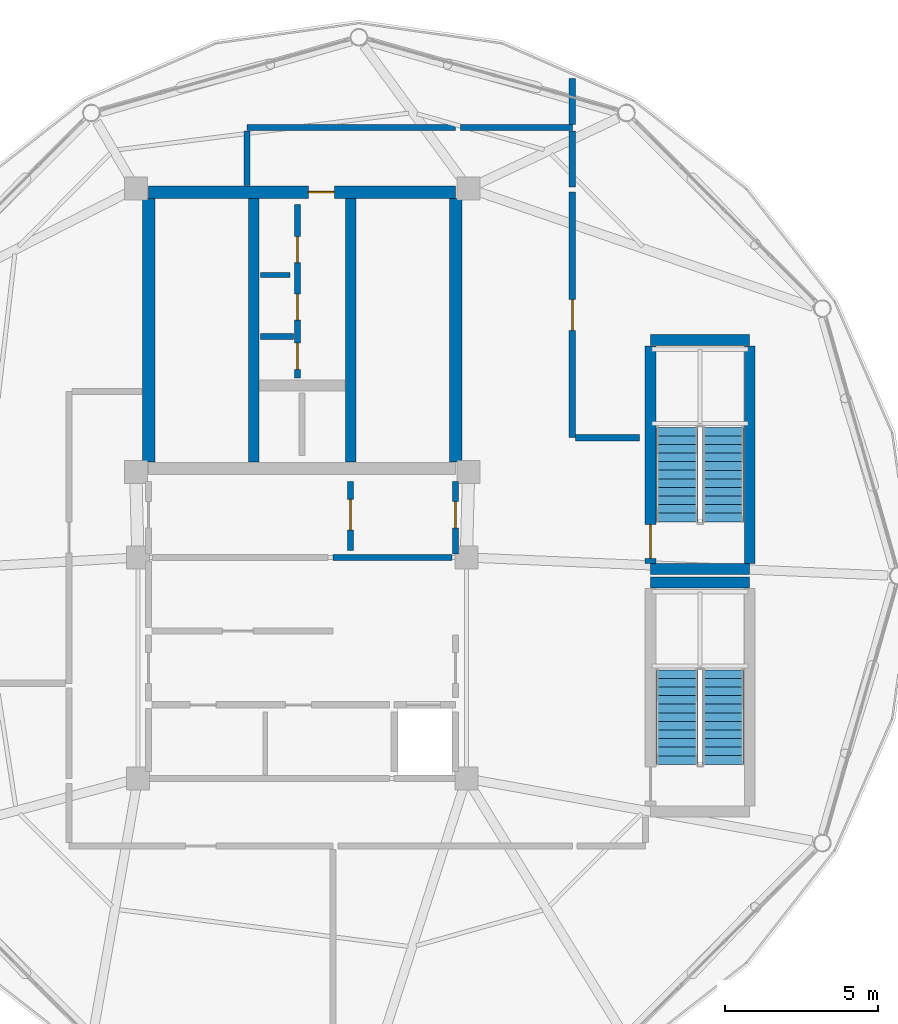
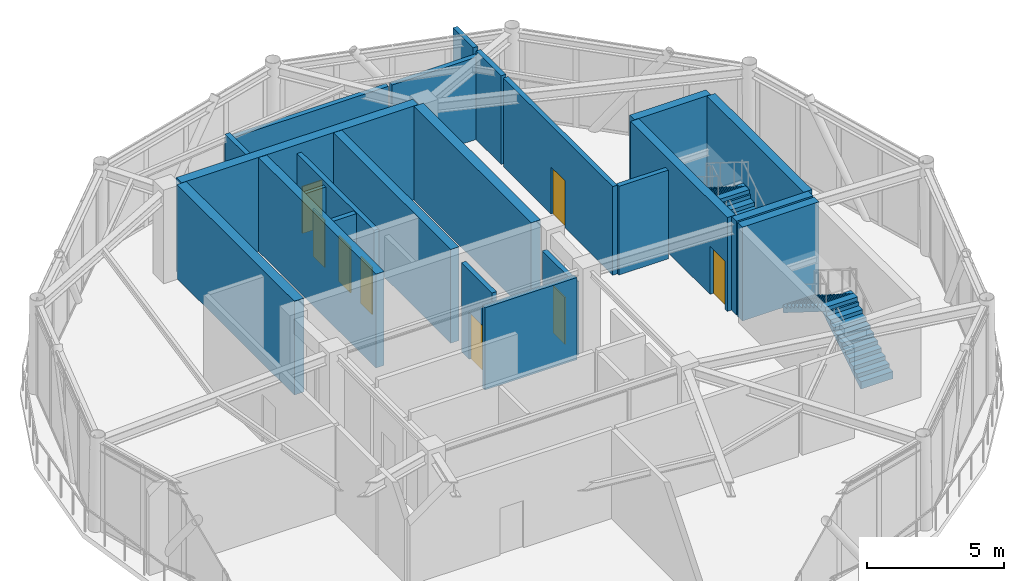
# One storey, part 18 of 21: 23 walls, 8 doors, 4 stair flights, 8 openings, 2 elements without a shape of their own.
"""IFC4 building model written with IfcOpenShell, lengths in metres."""

from ifc_helpers import new_model, si_unit, direction, frame, frame_2d, origin, place, context, subcontext, project, spatial, polyline, rectangle, outline, extrude, material, layer, layer_set, type_object, element, fill, aggregate, save


model = new_model("IFC4")

# Units and contexts
model_context = context("Model", 3, precision=1e-05, world=origin(), true_north=direction((0.0, 1.0)))
body_context = subcontext(model_context, "Body", "Model", "MODEL_VIEW")
ifc_project = project(units=[si_unit("LENGTHUNIT", "METRE"), si_unit("AREAUNIT", "SQUARE_METRE"), si_unit("VOLUMEUNIT", "CUBIC_METRE"), si_unit("PLANEANGLEUNIT", "RADIAN"), si_unit("MASSUNIT", "GRAM", prefix="KILO")], contexts=[model_context])

# Site, building, storey
site_placement = place(None, origin())
site = spatial("IfcSite", under=ifc_project, at=site_placement, CompositionType="ELEMENT")
building_placement = place(site_placement, origin())
building = spatial("IfcBuilding", under=site, at=building_placement, Name="Varnakorn Sky Granary", CompositionType="ELEMENT")
storey_placement = place(building_placement, frame((0.0, 0.0, 298.199951171875)))
storey = spatial("IfcBuildingStorey", under=building, at=storey_placement, Name="L76", CompositionType="ELEMENT", Elevation=298.199951171875)

# Walls
ifc_material_1 = material(Name="Concrete C50/60", Category="concrete")
ifc_layer_1 = layer(ifc_material_1, 0.35009765625, Name="Concrete C50/60")
ifc_layer_set_1 = layer_set([ifc_layer_1], Name="Concrete C50/60")
wall_type_1 = type_object("IfcWallType", Name="WT-CW-INT-350", PredefinedType="SHEAR", material=ifc_layer_set_1)
for number, where, z_axis, x_axis, name in (
    (1, (14.35009765625, 0.219970703125, 0.0), (0.0, 0.0, 1.0), (1.0, 0.0, 0.0), "Crown Stair STC1 South Wall L76"),
    (2, (14.35009765625, 7.679931640625, 0.0), (0.0, 0.0, 1.0), (1.0, 0.0, 0.0), "Crown Stair STC1 North Wall L76"),
):
    element("IfcWall", number, at=place(storey_placement, frame(where, z_axis=z_axis, x_axis=x_axis)), inside=storey, type_object=wall_type_1, Name=name, PredefinedType="SHEAR", context=body_context, shape_type="SweptSolid", body=[
        extrude(rectangle(XDim=3.22998046875, YDim=0.35009765625, at=frame_2d((1.614990234375, 0.0))), origin(), (0.0, 0.0, 1.0), 4.192138671875),
    ])

# Wall, opening, door
wall_1_placement = place(storey_placement, frame((14.35009765625, 0.409912109375, 0.0), z_axis=(0.0, 0.0, 1.0), x_axis=(0.0, 1.0, 0.0)))
wall_1 = element("IfcWall", 3, at=wall_1_placement, inside=storey, type_object=wall_type_1, Name="Crown Stair STC1 West Wall L76", PredefinedType="SHEAR", context=body_context, shape_type="SweptSolid", body=[
    extrude(rectangle(XDim=7.080078125, YDim=0.35009765625, at=frame_2d((3.5400390625, 0.0))), origin(), (0.0, 0.0, 1.0), 4.192138671875),
])
opening_1_placement = place(wall_1_placement, frame((0.159912109375, 0.0, 0.0)))
opening_1 = element("IfcOpeningElement", 4, at=opening_1_placement, cuts=wall_1, Name="Opening FD-90", PredefinedType="OPENING", context=body_context, shape_type="SweptSolid", body=[
    extrude(rectangle(XDim=1.10009765625, YDim=2.14990234375, at=frame_2d((0.550048828125, 1.074951171875))), frame((0.0, 0.18505859375, 0.0), z_axis=(0.0, -1.0, 0.0), x_axis=(1.0, 0.0, 0.0)), (0.0, 0.0, 1.0), 0.3701171875),
])
ifc_material_2 = material(Name="Galvanised Painted Steel Leaf", Category="steel")
door_type_1 = type_object("IfcDoorType", Name="DR-STAIR-1100", OperationType="NOTDEFINED", PredefinedType="DOOR", material=ifc_material_2)
door_1_placement = place(opening_1_placement, origin())
door_1 = element("IfcDoor", 5, at=door_1_placement, inside=storey, type_object=door_type_1, Name="Crown Stair STC1 Protected Fire Door L76", OperationType="SINGLE_SWING_LEFT", OverallHeight=2.14990234375, OverallWidth=1.10009765625, PredefinedType="DOOR", context=body_context, shape_type="SweptSolid", body=[
    extrude(rectangle(XDim=1.10009765625, YDim=2.14990234375, at=frame_2d((0.550048828125, 1.074951171875))), frame((0.0, 0.02490234375, 0.0), z_axis=(0.0, -1.0, 0.0), x_axis=(1.0, 0.0, 0.0)), (0.0, 0.0, 1.0), 0.050048828125),
])
fill(opening_1, door_1)

# Walls
wall_2_placement = place(storey_placement, frame((17.580078125, 0.409912109375, 0.0), z_axis=(0.0, 0.0, 1.0), x_axis=(0.0, 1.0, 0.0)))
element("IfcWall", 6, at=wall_2_placement, inside=storey, type_object=wall_type_1, Name="Crown Stair STC1 East Wall L76", PredefinedType="SHEAR", context=body_context, shape_type="SweptSolid", body=[
    extrude(rectangle(XDim=7.080078125, YDim=0.35009765625, at=frame_2d((3.5400390625, 0.0))), origin(), (0.0, 0.0, 1.0), 4.192138671875),
])
wall_3_placement = place(storey_placement, frame((14.35009765625, -0.219970703125, 0.0), z_axis=(0.0, 0.0, 1.0), x_axis=(1.0, 0.0, 0.0)))
element("IfcWall", 7, at=wall_3_placement, inside=storey, type_object=wall_type_1, Name="Crown Stair STC2 North Wall L76", PredefinedType="SHEAR", context=body_context, shape_type="SweptSolid", body=[
    extrude(rectangle(XDim=3.22998046875, YDim=0.35009765625, at=frame_2d((1.614990234375, 0.0))), origin(), (0.0, 0.0, 1.0), 4.192138671875),
])
for number, where, z_axis, x_axis, name in (
    (8, (1.419921875, 3.7099609375, 0.0), (0.0, 0.0, 1.0), (0.0, 1.0, 0.0), "Stair ST-1 Core Wall L76"),
    (9, (4.580078125, 3.7099609375, 0.0), (0.0, 0.0, 1.0), (0.0, 1.0, 0.0), "Stair ST-2 Core Wall L76"),
):
    element("IfcWall", number, at=place(storey_placement, frame(where, z_axis=z_axis, x_axis=x_axis)), inside=storey, type_object=wall_type_1, Name=name, PredefinedType="SHEAR", context=body_context, shape_type="SweptSolid", body=[
        extrude(rectangle(XDim=8.580078125, YDim=0.35009765625, at=frame_2d((4.2900390625, 0.0))), origin(), (0.0, 0.0, 1.0), 4.192138671875),
    ])

# Wall, opening, door
ifc_layer_2 = layer(ifc_material_1, 0.39990234375, Name="Concrete C50/60")
ifc_layer_set_2 = layer_set([ifc_layer_2], Name="Concrete C50/60")
wall_type_2 = type_object("IfcWallType", Name="WT-CW-SHEAR-400", PredefinedType="SHEAR", material=ifc_layer_set_2)
wall_4_placement = place(storey_placement, frame((-2.0, 12.5, 0.0), z_axis=(0.0, 0.0, 1.0), x_axis=(1.0, 0.0, 0.0)))
wall_4 = element("IfcWall", 10, at=wall_4_placement, inside=storey, type_object=wall_type_2, Name="Core North Shear Wall L76", PredefinedType="SHEAR", context=body_context, shape_type="SweptSolid", body=[
    extrude(rectangle(XDim=10.0, YDim=0.39990234375, at=frame_2d((5.0, 0.0))), origin(), (0.0, 0.0, 1.0), 4.192138671875),
])
opening_2_placement = place(wall_4_placement, frame((5.199951171875, 0.0, 0.0)))
opening_2 = element("IfcOpeningElement", 11, at=opening_2_placement, cuts=wall_4, Name="Opening FD-60N", PredefinedType="OPENING", context=body_context, shape_type="SweptSolid", body=[
    extrude(rectangle(XDim=0.85009765625, YDim=2.10009765625, at=frame_2d((0.425048828125, 1.050048828125))), frame((0.0, 0.2099609375, 0.0), z_axis=(0.0, -1.0, 0.0), x_axis=(1.0, 0.0, 0.0)), (0.0, 0.0, 1.0), 0.419921875),
])
ifc_material_3 = material(Name="Acoustic Timber Fire Leaf", Category="wood")
door_type_2 = type_object("IfcDoorType", Name="DR-FD60-850", OperationType="NOTDEFINED", PredefinedType="DOOR", material=ifc_material_3)
door_2_placement = place(opening_2_placement, origin())
door_2 = element("IfcDoor", 12, at=door_2_placement, inside=storey, type_object=door_type_2, Name="Core North Service Door L76", OperationType="SINGLE_SWING_RIGHT", OverallHeight=2.10009765625, OverallWidth=0.85009765625, PredefinedType="DOOR", context=body_context, shape_type="SweptSolid", body=[
    extrude(rectangle(XDim=0.85009765625, YDim=2.10009765625, at=frame_2d((0.425048828125, 1.050048828125))), frame((0.0, 0.02490234375, 0.0), z_axis=(0.0, -1.0, 0.0), x_axis=(1.0, 0.0, 0.0)), (0.0, 0.0, 1.0), 0.050048828125),
])
fill(opening_2, door_2)

# Walls
for number, where, z_axis, x_axis, name in (
    (13, (-2.0, 3.7099609375, 0.0), (0.0, 0.0, 1.0), (0.0, 1.0, 0.0), "Core West Shear Wall L76"),
    (14, (8.0, 3.7099609375, 0.0), (0.0, 0.0, 1.0), (0.0, 1.0, 0.0), "Core East Shear Wall L76"),
):
    element("IfcWall", number, at=place(storey_placement, frame(where, z_axis=z_axis, x_axis=x_axis)), inside=storey, type_object=wall_type_2, Name=name, PredefinedType="SHEAR", context=body_context, shape_type="SweptSolid", body=[
        extrude(rectangle(XDim=8.580078125, YDim=0.39990234375, at=frame_2d((4.2900390625, 0.0))), origin(), (0.0, 0.0, 1.0), 4.192138671875),
    ])

# Wall, openings, doors
ifc_material_4 = material(Name="Autoclaved Aerated Concrete Blockwork", Category="masonry")
ifc_layer_3 = layer(ifc_material_4, 0.199951171875, Name="Autoclaved Aerated Concrete Blockwork")
ifc_layer_set_3 = layer_set([ifc_layer_3], Name="Autoclaved Aerated Concrete Blockwork")
wall_type_3 = type_object("IfcWallType", Name="WT-FIRE-200", PredefinedType="MOVABLE", material=ifc_layer_set_3)
wall_5_placement = place(storey_placement, frame((2.85009765625, 6.449951171875, 0.0), z_axis=(0.0, 0.0, 1.0), x_axis=(0.0, 1.0, 0.0)))
wall_5 = element("IfcWall", 15, at=wall_5_placement, inside=storey, type_object=wall_type_3, Name="Interior Partition Wall L76-008", PredefinedType="MOVABLE", context=body_context, shape_type="SweptSolid", body=[
    extrude(rectangle(XDim=5.650146484375, YDim=0.199951171875, at=frame_2d((2.8251953125, 0.0))), origin(), (0.0, 0.0, 1.0), 3.9599609375),
])
opening_3_placement = place(wall_5_placement, frame((1.8798828125, 0.0, 0.0)))
opening_3 = element("IfcOpeningElement", 16, at=opening_3_placement, cuts=wall_5, Name="Opening RD-85", PredefinedType="OPENING", context=body_context, shape_type="SweptSolid", body=[
    extrude(rectangle(XDim=0.85009765625, YDim=2.050048828125, at=frame_2d((0.425048828125, 1.02490234375))), frame((0.0, 0.10986328125, 0.0), z_axis=(0.0, -1.0, 0.0), x_axis=(1.0, 0.0, 0.0)), (0.0, 0.0, 1.0), 0.219970703125),
])
opening_4_placement = place(wall_5_placement, frame((3.75, 0.0, 0.0)))
opening_4 = element("IfcOpeningElement", 17, at=opening_4_placement, cuts=wall_5, Name="Opening FD-60N", PredefinedType="OPENING", context=body_context, shape_type="SweptSolid", body=[
    extrude(rectangle(XDim=0.85009765625, YDim=2.10009765625, at=frame_2d((0.425048828125, 1.050048828125))), frame((0.0, 0.10986328125, 0.0), z_axis=(0.0, -1.0, 0.0), x_axis=(1.0, 0.0, 0.0)), (0.0, 0.0, 1.0), 0.219970703125),
])
opening_5_placement = place(wall_5_placement, frame((0.280029296875, 0.0, 0.0)))
opening_5 = element("IfcOpeningElement", 18, at=opening_5_placement, cuts=wall_5, Name="Opening FD-60N", PredefinedType="OPENING", context=body_context, shape_type="SweptSolid", body=[
    extrude(rectangle(XDim=0.85009765625, YDim=2.10009765625, at=frame_2d((0.425048828125, 1.050048828125))), frame((0.0, 0.10986328125, 0.0), z_axis=(0.0, -1.0, 0.0), x_axis=(1.0, 0.0, 0.0)), (0.0, 0.0, 1.0), 0.219970703125),
])
door_3_placement = place(opening_4_placement, origin())
door_3 = element("IfcDoor", 19, at=door_3_placement, inside=storey, type_object=door_type_2, Name="Interior Door L76-008-2", OperationType="SINGLE_SWING_LEFT", OverallHeight=2.10009765625, OverallWidth=0.85009765625, PredefinedType="DOOR", context=body_context, shape_type="SweptSolid", body=[
    extrude(rectangle(XDim=0.85009765625, YDim=2.10009765625, at=frame_2d((0.425048828125, 1.050048828125))), frame((0.0, 0.02490234375, 0.0), z_axis=(0.0, -1.0, 0.0), x_axis=(1.0, 0.0, 0.0)), (0.0, 0.0, 1.0), 0.050048828125),
])
fill(opening_4, door_3)
door_4_placement = place(opening_5_placement, origin())
door_4 = element("IfcDoor", 20, at=door_4_placement, inside=storey, type_object=door_type_2, Name="Interior Door L76-008-3", OperationType="SINGLE_SWING_RIGHT", OverallHeight=2.10009765625, OverallWidth=0.85009765625, PredefinedType="DOOR", context=body_context, shape_type="SweptSolid", body=[
    extrude(rectangle(XDim=0.85009765625, YDim=2.10009765625, at=frame_2d((0.425048828125, 1.050048828125))), frame((0.0, 0.02490234375, 0.0), z_axis=(0.0, -1.0, 0.0), x_axis=(1.0, 0.0, 0.0)), (0.0, 0.0, 1.0), 0.050048828125),
])
fill(opening_5, door_4)
door_type_3 = type_object("IfcDoorType", Name="DR-RIS-850", OperationType="NOTDEFINED", PredefinedType="DOOR", material=ifc_material_2)
door_5_placement = place(opening_3_placement, origin())
door_5 = element("IfcDoor", 21, at=door_5_placement, inside=storey, type_object=door_type_3, Name="MEP Riser Shaft Access Door L76-008-1", OperationType="SINGLE_SWING_RIGHT", OverallHeight=2.050048828125, OverallWidth=0.85009765625, PredefinedType="DOOR", context=body_context, shape_type="SweptSolid", body=[
    extrude(rectangle(XDim=0.85009765625, YDim=2.050048828125, at=frame_2d((0.425048828125, 1.02490234375))), frame((0.0, 0.02490234375, 0.0), z_axis=(0.0, -1.0, 0.0), x_axis=(1.0, 0.0, 0.0)), (0.0, 0.0, 1.0), 0.050048828125),
])
fill(opening_3, door_5)

# Wall, opening, door
wall_6_placement = place(storey_placement, frame((4.580078125, 0.830078125, 0.0), z_axis=(0.0, 0.0, 1.0), x_axis=(0.0, 1.0, 0.0)))
wall_6 = element("IfcWall", 22, at=wall_6_placement, inside=storey, type_object=wall_type_3, Name="Interior Partition Wall L76-009", PredefinedType="MOVABLE", context=body_context, shape_type="SweptSolid", body=[
    extrude(rectangle(XDim=2.239990234375, YDim=0.199951171875, at=frame_2d((1.1201171875, 0.0))), origin(), (0.0, 0.0, 1.0), 3.9599609375),
])
opening_6_placement = place(wall_6_placement, frame((0.659912109375, 0.0, 0.0)))
opening_6 = element("IfcOpeningElement", 23, at=opening_6_placement, cuts=wall_6, Name="Opening FD-60", PredefinedType="OPENING", context=body_context, shape_type="SweptSolid", body=[
    extrude(rectangle(XDim=1.0, YDim=2.10009765625, at=frame_2d((0.5, 1.050048828125))), frame((0.0, 0.10986328125, 0.0), z_axis=(0.0, -1.0, 0.0), x_axis=(1.0, 0.0, 0.0)), (0.0, 0.0, 1.0), 0.219970703125),
])
door_type_4 = type_object("IfcDoorType", Name="DR-FD60-1000", OperationType="NOTDEFINED", PredefinedType="DOOR", material=ifc_material_3)
door_6_placement = place(opening_6_placement, origin())
door_6 = element("IfcDoor", 24, at=door_6_placement, inside=storey, type_object=door_type_4, Name="Interior Door L76-009-1", OperationType="SINGLE_SWING_LEFT", OverallHeight=2.10009765625, OverallWidth=1.0, PredefinedType="DOOR", context=body_context, shape_type="SweptSolid", body=[
    extrude(rectangle(XDim=1.0, YDim=2.10009765625, at=frame_2d((0.5, 1.050048828125))), frame((0.0, 0.02490234375, 0.0), z_axis=(0.0, -1.0, 0.0), x_axis=(1.0, 0.0, 0.0)), (0.0, 0.0, 1.0), 0.050048828125),
])
fill(opening_6, door_6)

wall_7_placement = place(storey_placement, frame((8.0, 0.719970703125, 0.0), z_axis=(0.0, 0.0, 1.0), x_axis=(0.0, 1.0, 0.0)))
wall_7 = element("IfcWall", 25, at=wall_7_placement, inside=storey, type_object=wall_type_3, Name="Interior Partition Wall L76-011", PredefinedType="MOVABLE", context=body_context, shape_type="SweptSolid", body=[
    extrude(rectangle(XDim=2.35009765625, YDim=0.199951171875, at=frame_2d((1.175048828125, 0.0))), origin(), (0.0, 0.0, 1.0), 3.2919921875),
])
opening_7_placement = place(wall_7_placement, frame((0.844970703125, 0.0, 0.0)))
opening_7 = element("IfcOpeningElement", 26, at=opening_7_placement, cuts=wall_7, Name="Opening FD-60N", PredefinedType="OPENING", context=body_context, shape_type="SweptSolid", body=[
    extrude(rectangle(XDim=0.85009765625, YDim=2.10009765625, at=frame_2d((0.425048828125, 1.050048828125))), frame((0.0, 0.10986328125, 0.0), z_axis=(0.0, -1.0, 0.0), x_axis=(1.0, 0.0, 0.0)), (0.0, 0.0, 1.0), 0.219970703125),
])
door_7_placement = place(opening_7_placement, origin())
door_7 = element("IfcDoor", 27, at=door_7_placement, inside=storey, type_object=door_type_2, Name="Interior Door L76-011-1", OperationType="SINGLE_SWING_LEFT", OverallHeight=2.10009765625, OverallWidth=0.85009765625, PredefinedType="DOOR", context=body_context, shape_type="SweptSolid", body=[
    extrude(rectangle(XDim=0.85009765625, YDim=2.10009765625, at=frame_2d((0.425048828125, 1.050048828125))), frame((0.0, 0.02490234375, 0.0), z_axis=(0.0, -1.0, 0.0), x_axis=(1.0, 0.0, 0.0)), (0.0, 0.0, 1.0), 0.050048828125),
])
fill(opening_7, door_7)

wall_8_placement = place(storey_placement, frame((11.800048828125, 4.5, 0.0), z_axis=(0.0, 0.0, 1.0), x_axis=(0.0, 1.0, 0.0)))
wall_8 = element("IfcWall", 28, at=wall_8_placement, inside=storey, type_object=wall_type_3, Name="Interior Partition Wall L76-018", PredefinedType="MOVABLE", context=body_context, shape_type="SweptSolid", body=[
    extrude(rectangle(XDim=8.0, YDim=0.199951171875, at=frame_2d((4.0, 0.0))), origin(), (0.0, 0.0, 1.0), 3.9599609375),
])
opening_8_placement = place(wall_8_placement, frame((3.5, 0.0, 0.0)))
opening_8 = element("IfcOpeningElement", 29, at=opening_8_placement, cuts=wall_8, Name="Opening FD-60", PredefinedType="OPENING", context=body_context, shape_type="SweptSolid", body=[
    extrude(rectangle(XDim=1.0, YDim=2.10009765625, at=frame_2d((0.5, 1.050048828125))), frame((0.0, 0.10986328125, 0.0), z_axis=(0.0, -1.0, 0.0), x_axis=(1.0, 0.0, 0.0)), (0.0, 0.0, 1.0), 0.219970703125),
])
door_8_placement = place(opening_8_placement, origin())
door_8 = element("IfcDoor", 30, at=door_8_placement, inside=storey, type_object=door_type_4, Name="Interior Door L76-018-1", OperationType="SINGLE_SWING_LEFT", OverallHeight=2.10009765625, OverallWidth=1.0, PredefinedType="DOOR", context=body_context, shape_type="SweptSolid", body=[
    extrude(rectangle(XDim=1.0, YDim=2.10009765625, at=frame_2d((0.5, 1.050048828125))), frame((0.0, 0.02490234375, 0.0), z_axis=(0.0, -1.0, 0.0), x_axis=(1.0, 0.0, 0.0)), (0.0, 0.0, 1.0), 0.050048828125),
])
fill(opening_8, door_8)

# Walls
wall_9_placement = place(storey_placement, frame((8.0, 14.60009765625, 0.0), z_axis=(0.0, 0.0, 1.0), x_axis=(-1.0, 0.0, 0.0)))
element("IfcWall", 31, at=wall_9_placement, inside=storey, type_object=wall_type_3, Name="Interior Partition Wall L76-025", PredefinedType="MOVABLE", context=body_context, shape_type="SweptSolid", body=[
    extrude(rectangle(XDim=6.800048828125, YDim=0.199951171875, at=frame_2d((3.39990234375, 0.0))), origin(), (0.0, 0.0, 1.0), 3.672119140625),
])
wall_10_placement = place(storey_placement, frame((11.800048828125, 14.60009765625, 0.0), z_axis=(0.0, 0.0, 1.0), x_axis=(-1.0, 0.0, 0.0)))
element("IfcWall", 32, at=wall_10_placement, inside=storey, type_object=wall_type_3, Name="Interior Partition Wall L76-026", PredefinedType="MOVABLE", context=body_context, shape_type="SweptSolid", body=[
    extrude(rectangle(XDim=3.64013671875, YDim=0.199951171875, at=frame_2d((1.820068359375, 0.0))), origin(), (0.0, 0.0, 1.0), 3.672119140625),
])
wall_11_placement = place(storey_placement, frame((1.199951171875, 14.489990234375, 0.0), z_axis=(0.0, 0.0, 1.0), x_axis=(0.0, -1.0, 0.0)))
element("IfcWall", 33, at=wall_11_placement, inside=storey, type_object=wall_type_3, Name="Interior Partition Wall L76-028", PredefinedType="MOVABLE", context=body_context, shape_type="SweptSolid", body=[
    extrude(rectangle(XDim=1.780029296875, YDim=0.199951171875, at=frame_2d((0.89013671875, 0.0))), origin(), (0.0, 0.0, 1.0), 3.9599609375),
])
wall_12_placement = place(storey_placement, frame((13.9951171875, 4.5, 0.0), z_axis=(0.0, 0.0, 1.0), x_axis=(-1.0, 0.0, 0.0)))
element("IfcWall", 34, at=wall_12_placement, inside=storey, type_object=wall_type_3, Name="Interior Partition Wall L76-033", PredefinedType="MOVABLE", context=body_context, shape_type="SweptSolid", body=[
    extrude(rectangle(XDim=2.085205078125, YDim=0.199951171875, at=frame_2d((1.04248046875, 0.0))), origin(), (0.0, 0.0, 1.0), 3.9599609375),
])
wall_13_placement = place(storey_placement, frame((11.800048828125, 12.659912109375, 0.0), z_axis=(0.0, 0.0, 1.0), x_axis=(0.0, 1.0, 0.0)))
element("IfcWall", 35, at=wall_13_placement, inside=storey, type_object=wall_type_3, Name="Interior Partition Wall L76-034", PredefinedType="MOVABLE", context=body_context, shape_type="SweptSolid", body=[
    extrude(rectangle(XDim=1.830078125, YDim=0.199951171875, at=frame_2d((0.9150390625, 0.0))), origin(), (0.0, 0.0, 1.0), 3.9599609375),
])
wall_14_placement = place(storey_placement, frame((11.800048828125, 16.197021484375, 0.0), z_axis=(0.0, 0.0, 1.0), x_axis=(0.0, -1.0, 0.0)))
element("IfcWall", 36, at=wall_14_placement, inside=storey, type_object=wall_type_3, Name="Interior Partition Wall L76-037", PredefinedType="MOVABLE", context=body_context, shape_type="SweptSolid", body=[
    extrude(rectangle(XDim=1.487060546875, YDim=0.199951171875, at=frame_2d((0.74365234375, 0.0))), origin(), (0.0, 0.0, 1.0), 3.9599609375),
])
ifc_material_5 = material(Name="Gypsum Plasterboard on Steel Stud", Category="steel")
ifc_layer_4 = layer(ifc_material_5, 0.14990234375, Name="Gypsum Plasterboard on Steel Stud")
ifc_layer_set_4 = layer_set([ifc_layer_4], Name="Gypsum Plasterboard on Steel Stud")
wall_type_4 = type_object("IfcWallType", Name="WT-PART-150", PredefinedType="PARTITIONING", material=ifc_layer_set_4)
wall_15_placement = place(storey_placement, frame((1.64990234375, 9.800048828125, 0.0), z_axis=(0.0, 0.0, 1.0), x_axis=(1.0, 0.0, 0.0)))
element("IfcWall", 37, at=wall_15_placement, inside=storey, type_object=wall_type_4, Name="Interior Partition Wall L76-019", PredefinedType="PARTITIONING", context=body_context, shape_type="SweptSolid", body=[
    extrude(rectangle(XDim=0.960205078125, YDim=0.14990234375, at=frame_2d((0.47998046875, 0.0))), origin(), (0.0, 0.0, 1.0), 3.9599609375),
])
ifc_layer_5 = layer(ifc_material_4, 0.199951171875, Name="Autoclaved Aerated Concrete Blockwork")
ifc_layer_set_5 = layer_set([ifc_layer_5], Name="Autoclaved Aerated Concrete Blockwork")
wall_type_5 = type_object("IfcWallType", Name="WT-SHAFT-200", PredefinedType="SOLIDWALL", material=ifc_layer_set_5)
wall_16_placement = place(storey_placement, frame((1.64990234375, 7.800048828125, 0.0), z_axis=(0.0, 0.0, 1.0), x_axis=(1.0, 0.0, 0.0)))
element("IfcWall", 38, at=wall_16_placement, inside=storey, type_object=wall_type_5, Name="Interior Partition Wall L76-002", PredefinedType="SOLIDWALL", context=body_context, shape_type="SweptSolid", body=[
    extrude(rectangle(XDim=1.070068359375, YDim=0.199951171875, at=frame_2d((0.53515625, 0.0))), origin(), (0.0, 0.0, 1.0), 3.9599609375),
])
wall_17_placement = place(storey_placement, frame((4.0, 0.60009765625, 0.0), z_axis=(0.0, 0.0, 1.0), x_axis=(1.0, 0.0, 0.0)))
element("IfcWall", 39, at=wall_17_placement, inside=storey, type_object=wall_type_5, Name="Interior Partition Wall L76-003", PredefinedType="SOLIDWALL", context=body_context, shape_type="SweptSolid", body=[
    extrude(rectangle(XDim=3.8798828125, YDim=0.199951171875, at=frame_2d((1.93994140625, 0.0))), origin(), (0.0, 0.0, 1.0), 3.672119140625),
])

# Stair, stair flights
ifc_material_6 = material(Name="Concrete C40/50", Category="concrete")
stair_type = type_object("IfcStairType", Name="ST-CRWN-ASSEMBLY", PredefinedType="HALF_TURN_STAIR", material=ifc_material_6)
stair_1_placement = place(storey_placement, origin())
stair_1 = element("IfcStair", 40, at=stair_1_placement, inside=storey, type_object=stair_type, Name="L76 Crown North Exit Stair ST-C1", PredefinedType="HALF_TURN_STAIR")
stair_flight_type = type_object("IfcStairFlightType", Name="ST-CRWN-FLIGHT", PredefinedType="STRAIGHT", material=ifc_material_6)
stair_flight_1_placement = place(storey_placement, frame((16.719970703125, 1.760009765625, 0.0), z_axis=(0.0, 0.0, 1.0), x_axis=(0.0, 1.0, 0.0)))
stair_flight_1 = element("IfcStairFlight", 41, at=stair_flight_1_placement, type_object=stair_flight_type, Name="ST-C1 flight 1", NumberOfRisers=12, NumberOfTreads=11, PredefinedType="STRAIGHT", RiserHeight=0.175, TreadLength=0.28, context=body_context, shape_type="SweptSolid", body=[
    extrude(outline(polyline([(0.0, -0.14990234375), (0.0, 0.0), (0.0, 0.175048828125), (0.280029296875, 0.175048828125), (0.280029296875, 0.35009765625), (0.56005859375, 0.35009765625), (0.56005859375, 0.52490234375), (0.840087890625, 0.52490234375), (0.840087890625, 0.699951171875), (1.1201171875, 0.699951171875), (1.1201171875, 0.875), (1.39990234375, 0.875), (1.39990234375, 1.050048828125), (1.679931640625, 1.050048828125), (1.679931640625, 1.22509765625), (1.9599609375, 1.22509765625), (1.9599609375, 1.39990234375), (2.239990234375, 1.39990234375), (2.239990234375, 1.574951171875), (2.52001953125, 1.574951171875), (2.52001953125, 1.75), (2.800048828125, 1.75), (2.800048828125, 1.925048828125), (3.080078125, 1.925048828125), (3.080078125, 2.10009765625), (3.080078125, 1.748291015625), (0.050048828125, -0.14990234375), (0.0, -0.14990234375)])), frame((0.0, 0.68017578125, 0.0), z_axis=(0.0, -1.0, 0.0), x_axis=(1.0, 0.0, 0.0)), (0.0, 0.0, 1.0), 1.360107421875),
])
stair_flight_2_placement = place(storey_placement, frame((15.2099609375, 4.840087890625, 2.10009765625), z_axis=(0.0, 0.0, 1.0), x_axis=(0.0, -1.0, 0.0)))
stair_flight_2 = element("IfcStairFlight", 42, at=stair_flight_2_placement, type_object=stair_flight_type, Name="ST-C1 flight 2", NumberOfRisers=12, NumberOfTreads=11, PredefinedType="STRAIGHT", RiserHeight=0.175, TreadLength=0.28, context=body_context, shape_type="SweptSolid", body=[
    extrude(outline(polyline([(0.0, -0.14990234375), (0.0, 0.0), (0.0, 0.175048828125), (0.280029296875, 0.175048828125), (0.280029296875, 0.35009765625), (0.56005859375, 0.35009765625), (0.56005859375, 0.52490234375), (0.840087890625, 0.52490234375), (0.840087890625, 0.699951171875), (1.1201171875, 0.699951171875), (1.1201171875, 0.875), (1.39990234375, 0.875), (1.39990234375, 1.050048828125), (1.679931640625, 1.050048828125), (1.679931640625, 1.22509765625), (1.9599609375, 1.22509765625), (1.9599609375, 1.39990234375), (2.239990234375, 1.39990234375), (2.239990234375, 1.574951171875), (2.52001953125, 1.574951171875), (2.52001953125, 1.75), (2.800048828125, 1.75), (2.800048828125, 1.925048828125), (3.080078125, 1.925048828125), (3.080078125, 2.10009765625), (3.080078125, 1.748291015625), (0.050048828125, -0.14990234375), (0.0, -0.14990234375)])), frame((0.0, 0.68017578125, 0.0), z_axis=(0.0, -1.0, 0.0), x_axis=(1.0, 0.0, 0.0)), (0.0, 0.0, 1.0), 1.360107421875),
])
aggregate(stair_1, [stair_flight_1, stair_flight_2])

stair_2_placement = place(storey_placement, origin())
stair_2 = element("IfcStair", 43, at=stair_2_placement, inside=storey, type_object=stair_type, Name="L76 Crown South Exit Stair ST-C2", PredefinedType="HALF_TURN_STAIR")
stair_flight_3_placement = place(storey_placement, frame((16.719970703125, -6.139892578125, 0.0), z_axis=(0.0, 0.0, 1.0), x_axis=(0.0, 1.0, 0.0)))
stair_flight_3 = element("IfcStairFlight", 44, at=stair_flight_3_placement, type_object=stair_flight_type, Name="ST-C2 flight 1", NumberOfRisers=12, NumberOfTreads=11, PredefinedType="STRAIGHT", RiserHeight=0.175, TreadLength=0.28, context=body_context, shape_type="SweptSolid", body=[
    extrude(outline(polyline([(0.0, -0.14990234375), (0.0, 0.0), (0.0, 0.175048828125), (0.280029296875, 0.175048828125), (0.280029296875, 0.35009765625), (0.56005859375, 0.35009765625), (0.56005859375, 0.52490234375), (0.840087890625, 0.52490234375), (0.840087890625, 0.699951171875), (1.1201171875, 0.699951171875), (1.1201171875, 0.875), (1.39990234375, 0.875), (1.39990234375, 1.050048828125), (1.679931640625, 1.050048828125), (1.679931640625, 1.22509765625), (1.9599609375, 1.22509765625), (1.9599609375, 1.39990234375), (2.239990234375, 1.39990234375), (2.239990234375, 1.574951171875), (2.52001953125, 1.574951171875), (2.52001953125, 1.75), (2.800048828125, 1.75), (2.800048828125, 1.925048828125), (3.080078125, 1.925048828125), (3.080078125, 2.10009765625), (3.080078125, 1.748291015625), (0.050048828125, -0.14990234375), (0.0, -0.14990234375)])), frame((0.0, 0.68017578125, 0.0), z_axis=(0.0, -1.0, 0.0), x_axis=(1.0, 0.0, 0.0)), (0.0, 0.0, 1.0), 1.360107421875),
])
stair_flight_4_placement = place(storey_placement, frame((15.2099609375, -3.06005859375, 2.10009765625), z_axis=(0.0, 0.0, 1.0), x_axis=(0.0, -1.0, 0.0)))
stair_flight_4 = element("IfcStairFlight", 45, at=stair_flight_4_placement, type_object=stair_flight_type, Name="ST-C2 flight 2", NumberOfRisers=12, NumberOfTreads=11, PredefinedType="STRAIGHT", RiserHeight=0.175, TreadLength=0.28, context=body_context, shape_type="SweptSolid", body=[
    extrude(outline(polyline([(0.0, -0.14990234375), (0.0, 0.0), (0.0, 0.175048828125), (0.280029296875, 0.175048828125), (0.280029296875, 0.35009765625), (0.56005859375, 0.35009765625), (0.56005859375, 0.52490234375), (0.840087890625, 0.52490234375), (0.840087890625, 0.699951171875), (1.1201171875, 0.699951171875), (1.1201171875, 0.875), (1.39990234375, 0.875), (1.39990234375, 1.050048828125), (1.679931640625, 1.050048828125), (1.679931640625, 1.22509765625), (1.9599609375, 1.22509765625), (1.9599609375, 1.39990234375), (2.239990234375, 1.39990234375), (2.239990234375, 1.574951171875), (2.52001953125, 1.574951171875), (2.52001953125, 1.75), (2.800048828125, 1.75), (2.800048828125, 1.925048828125), (3.080078125, 1.925048828125), (3.080078125, 2.10009765625), (3.080078125, 1.748291015625), (0.050048828125, -0.14990234375), (0.0, -0.14990234375)])), frame((0.0, 0.68017578125, 0.0), z_axis=(0.0, -1.0, 0.0), x_axis=(1.0, 0.0, 0.0)), (0.0, 0.0, 1.0), 1.360107421875),
])
aggregate(stair_2, [stair_flight_3, stair_flight_4])

save(model, "model.ifc")
